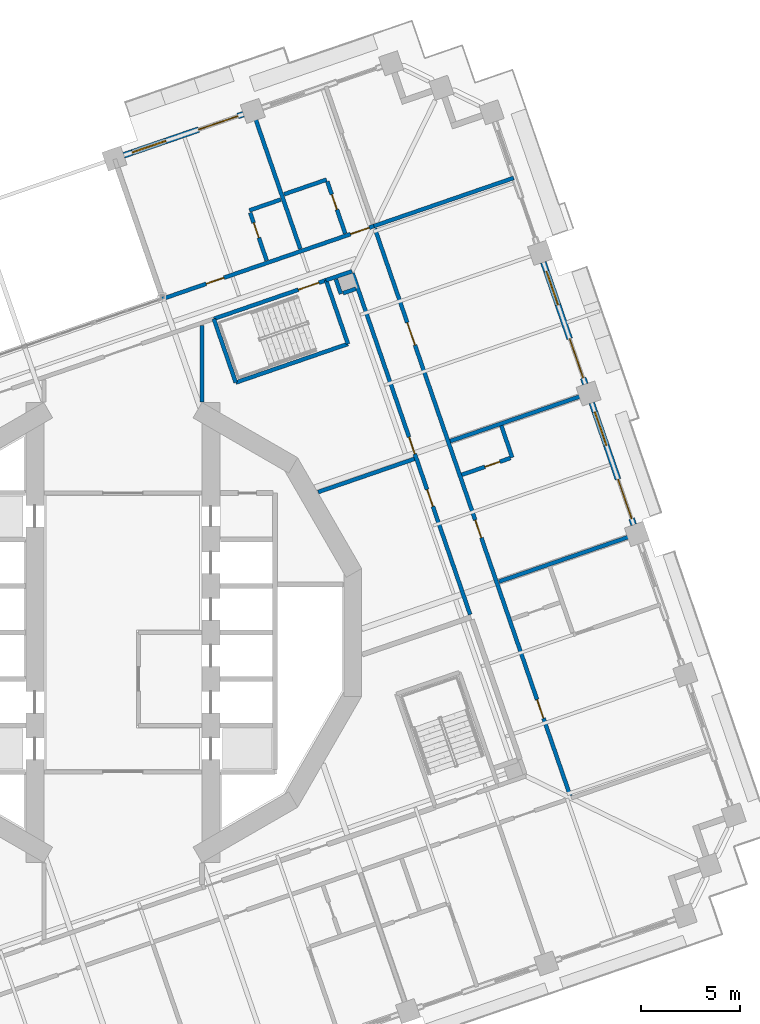
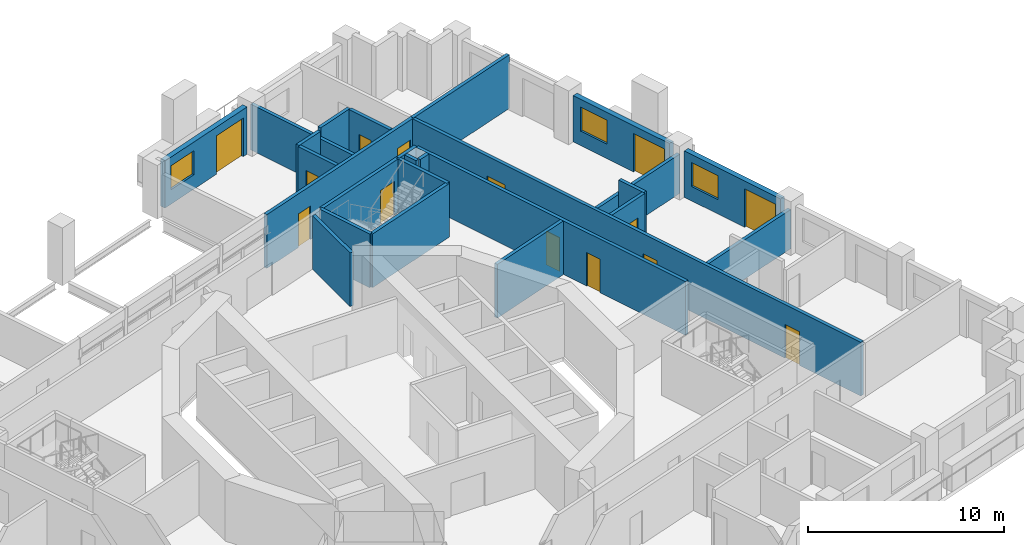
# One storey, part 12 of 22: 25 walls, 14 doors, 3 windows, 17 openings.
"""IFC4 building model written with IfcOpenShell, lengths in metres."""

from ifc_helpers import new_model, si_unit, direction, frame, frame_2d, origin, place, context, subcontext, project, spatial, rectangle, extrude, material, layer, layer_set, type_object, element, fill, save


model = new_model("IFC4")

# Units and contexts
model_context = context("Model", 3, precision=1e-05, world=origin(), true_north=direction((0.0, 1.0)))
body_context = subcontext(model_context, "Body", "Model", "MODEL_VIEW")
ifc_project = project(units=[si_unit("LENGTHUNIT", "METRE"), si_unit("AREAUNIT", "SQUARE_METRE"), si_unit("VOLUMEUNIT", "CUBIC_METRE"), si_unit("PLANEANGLEUNIT", "RADIAN"), si_unit("MASSUNIT", "GRAM", prefix="KILO")], contexts=[model_context])

# Site, building, storey
site_placement = place(None, origin())
site = spatial("IfcSite", under=ifc_project, at=site_placement, CompositionType="ELEMENT")
building_placement = place(site_placement, origin())
building = spatial("IfcBuilding", under=site, at=building_placement, Name="Cantera Rosa Tower", CompositionType="ELEMENT")
storey_placement = place(building_placement, frame((0.0, 0.0, 138.300048828125)))
storey = spatial("IfcBuildingStorey", under=building, at=storey_placement, Name="L29", CompositionType="ELEMENT", Elevation=138.300048828125)

# Walls
ifc_material_1 = material(Name="Gypsum board partition")
ifc_layer_1 = layer(ifc_material_1, 0.199951171875)
ifc_layer_set_1 = layer_set([ifc_layer_1], Name="CORRIDOR WALL 200 H3350")
wall_type_1 = type_object("IfcWallType", Name="CORRIDOR WALL 200 H3350", PredefinedType="PARTITIONING", material=ifc_layer_set_1)
wall_1_placement = place(storey_placement, frame((4.0, 11.667236328125, 0.0), z_axis=(0.0, 0.0, 1.0), x_axis=(0.0, 1.0, 0.0)))
element("IfcWall", 1, at=wall_1_placement, inside=storey, type_object=wall_type_1, Name="CORRIDOR WALL L29-060", PredefinedType="PARTITIONING", context=body_context, shape_type="SweptSolid", body=[
    extrude(rectangle(XDim=3.847900390625, YDim=0.199951171875, at=frame_2d((1.923828125, 0.0))), origin(), (0.0, 0.0, 1.0), 3.349853515625),
])
wall_2_placement = place(storey_placement, frame((11.583984375, 18.2666015625, 0.0), z_axis=(0.0, 0.0, 1.0), x_axis=(-0.945503834334, -0.325610963052, 0.0)))
element("IfcWall", 2, at=wall_2_placement, inside=storey, type_object=wall_type_1, Name="CORRIDOR WALL L29-085", PredefinedType="PARTITIONING", context=body_context, shape_type="SweptSolid", body=[
    extrude(rectangle(XDim=1.38720703125, YDim=0.199951171875, at=frame_2d((0.693603515625, 0.0))), origin(), (0.0, 0.0, 1.0), 3.349853515625),
])

# Wall, openings, doors
wall_3_placement = place(storey_placement, frame((12.699951171875, 20.5546875, 0.0), z_axis=(0.0, 0.0, 1.0), x_axis=(-0.94551504909, -0.325578396003, 0.0)))
wall_3 = element("IfcWall", 3, at=wall_3_placement, inside=storey, type_object=wall_type_1, Name="CORRIDOR WALL L29-088", PredefinedType="PARTITIONING", context=body_context, shape_type="SweptSolid", body=[
    extrude(rectangle(XDim=11.425048828125, YDim=0.199951171875, at=frame_2d((5.71240234375, 0.0))), origin(), (0.0, 0.0, 1.0), 3.349853515625),
])
opening_1_placement = place(wall_3_placement, frame((8.02490234375, 0.0, 0.0)))
opening_1 = element("IfcOpeningElement", 4, at=opening_1_placement, cuts=wall_3, Name="Opening L29-022", PredefinedType="OPENING", context=body_context, shape_type="SweptSolid", body=[
    extrude(rectangle(XDim=0.949951171875, YDim=2.10009765625, at=frame_2d((0.47509765625, 1.050048828125))), frame((0.0, 0.10986328125, 0.0), z_axis=(0.0, -1.0, 0.0), x_axis=(1.0, 0.0, 0.0)), (0.0, 0.0, 1.0), 0.219970703125),
])
opening_2_placement = place(wall_3_placement, frame((0.25, 0.0, 0.0)))
opening_2 = element("IfcOpeningElement", 5, at=opening_2_placement, cuts=wall_3, Name="Opening L29-026", PredefinedType="OPENING", context=body_context, shape_type="SweptSolid", body=[
    extrude(rectangle(XDim=1.0, YDim=2.10009765625, at=frame_2d((0.5, 1.050048828125))), frame((0.0, 0.10986328125, 0.0), z_axis=(0.0, -1.0, 0.0), x_axis=(1.0, 0.0, 0.0)), (0.0, 0.0, 1.0), 0.219970703125),
])
ifc_material_2 = material(Name="Timber door leaf", Category="wood")
door_type_1 = type_object("IfcDoorType", Name="ENTRANCE DOOR 1000x2100", OperationType="NOTDEFINED", PredefinedType="DOOR", material=ifc_material_2)
door_1_placement = place(opening_2_placement, origin())
door_1 = element("IfcDoor", 6, at=door_1_placement, inside=storey, type_object=door_type_1, Name="DOOR L29-026", OperationType="NOTDEFINED", OverallHeight=2.10009765625, OverallWidth=1.0, PredefinedType="DOOR", context=body_context, shape_type="SweptSolid", body=[
    extrude(rectangle(XDim=1.0, YDim=2.10009765625, at=frame_2d((0.5, 1.050048828125))), frame((0.0, 0.02490234375, 0.0), z_axis=(0.0, -1.0, 0.0), x_axis=(1.0, 0.0, 0.0)), (0.0, 0.0, 1.0), 0.050048828125),
])
fill(opening_2, door_1)
ifc_material_3 = material(Name="Timber door leaf", Category="wood")
door_type_2 = type_object("IfcDoorType", Name="ROOM DOOR 950x2100", OperationType="NOTDEFINED", PredefinedType="DOOR", material=ifc_material_3)
door_2_placement = place(opening_1_placement, origin())
door_2 = element("IfcDoor", 7, at=door_2_placement, inside=storey, type_object=door_type_2, Name="DOOR L29-022", OperationType="NOTDEFINED", OverallHeight=2.10009765625, OverallWidth=0.949951171875, PredefinedType="DOOR", context=body_context, shape_type="SweptSolid", body=[
    extrude(rectangle(XDim=0.949951171875, YDim=2.10009765625, at=frame_2d((0.47509765625, 1.050048828125))), frame((0.0, 0.02490234375, 0.0), z_axis=(0.0, -1.0, 0.0), x_axis=(1.0, 0.0, 0.0)), (0.0, 0.0, 1.0), 0.050048828125),
])
fill(opening_1, door_2)

wall_4_placement = place(storey_placement, frame((17.5615234375, 0.906982421875, 0.0), z_axis=(0.0, 0.0, 1.0), x_axis=(-0.325566240089, 0.945519234767, 0.0)))
wall_4 = element("IfcWall", 8, at=wall_4_placement, inside=storey, type_object=wall_type_1, Name="CORRIDOR WALL L29-104", PredefinedType="PARTITIONING", context=body_context, shape_type="SweptSolid", body=[
    extrude(rectangle(XDim=18.260009765625, YDim=0.199951171875, at=frame_2d((9.1298828125, 0.0))), origin(), (0.0, 0.0, 1.0), 3.349853515625),
])
opening_3_placement = place(wall_4_placement, frame((8.592529296875, 0.0, 0.0)))
opening_3 = element("IfcOpeningElement", 9, at=opening_3_placement, cuts=wall_4, Name="Opening L29-004", PredefinedType="OPENING", context=body_context, shape_type="SweptSolid", body=[
    extrude(rectangle(XDim=0.89990234375, YDim=2.10009765625, at=frame_2d((0.449951171875, 1.050048828125))), frame((0.0, 0.10986328125, 0.0), z_axis=(0.0, -1.0, 0.0), x_axis=(1.0, 0.0, 0.0)), (0.0, 0.0, 1.0), 0.219970703125),
])
opening_4_placement = place(wall_4_placement, frame((5.784912109375, 0.0, 0.0)))
opening_4 = element("IfcOpeningElement", 10, at=opening_4_placement, cuts=wall_4, Name="Opening L29-009", PredefinedType="OPENING", context=body_context, shape_type="SweptSolid", body=[
    extrude(rectangle(XDim=0.89990234375, YDim=2.10009765625, at=frame_2d((0.449951171875, 1.050048828125))), frame((0.0, 0.10986328125, 0.0), z_axis=(0.0, -1.0, 0.0), x_axis=(1.0, 0.0, 0.0)), (0.0, 0.0, 1.0), 0.219970703125),
])
ifc_material_4 = material(Name="Timber door leaf", Category="wood")
door_type_3 = type_object("IfcDoorType", Name="SERVICE DOOR 900x2100", OperationType="NOTDEFINED", PredefinedType="DOOR", material=ifc_material_4)
door_3_placement = place(opening_3_placement, origin())
door_3 = element("IfcDoor", 11, at=door_3_placement, inside=storey, type_object=door_type_3, Name="DOOR L29-004", OperationType="NOTDEFINED", OverallHeight=2.10009765625, OverallWidth=0.89990234375, PredefinedType="DOOR", context=body_context, shape_type="SweptSolid", body=[
    extrude(rectangle(XDim=0.89990234375, YDim=2.10009765625, at=frame_2d((0.449951171875, 1.050048828125))), frame((0.0, 0.02490234375, 0.0), z_axis=(0.0, -1.0, 0.0), x_axis=(1.0, 0.0, 0.0)), (0.0, 0.0, 1.0), 0.050048828125),
])
fill(opening_3, door_3)
door_4_placement = place(opening_4_placement, origin())
door_4 = element("IfcDoor", 12, at=door_4_placement, inside=storey, type_object=door_type_3, Name="DOOR L29-009", OperationType="NOTDEFINED", OverallHeight=2.10009765625, OverallWidth=0.89990234375, PredefinedType="DOOR", context=body_context, shape_type="SweptSolid", body=[
    extrude(rectangle(XDim=0.89990234375, YDim=2.10009765625, at=frame_2d((0.449951171875, 1.050048828125))), frame((0.0, 0.02490234375, 0.0), z_axis=(0.0, -1.0, 0.0), x_axis=(1.0, 0.0, 0.0)), (0.0, 0.0, 1.0), 0.050048828125),
])
fill(opening_4, door_4)

wall_5_placement = place(storey_placement, frame((22.623291015625, -8.264892578125, 0.0), z_axis=(0.0, 0.0, 1.0), x_axis=(-0.325567861352, 0.945518676524, 0.0)))
wall_5 = element("IfcWall", 13, at=wall_5_placement, inside=storey, type_object=wall_type_1, Name="CORRIDOR WALL L29-115", PredefinedType="PARTITIONING", context=body_context, shape_type="SweptSolid", body=[
    extrude(rectangle(XDim=30.360107421875, YDim=0.199951171875, at=frame_2d((15.18017578125, 0.0))), origin(), (0.0, 0.0, 1.0), 3.349853515625),
])
opening_5_placement = place(wall_5_placement, frame((4.14990234375, 0.0, 0.0)))
opening_5 = element("IfcOpeningElement", 14, at=opening_5_placement, cuts=wall_5, Name="Opening L29-016", PredefinedType="OPENING", context=body_context, shape_type="SweptSolid", body=[
    extrude(rectangle(XDim=1.0, YDim=2.10009765625, at=frame_2d((0.5, 1.050048828125))), frame((0.0, 0.10986328125, 0.0), z_axis=(0.0, -1.0, 0.0), x_axis=(1.0, 0.0, 0.0)), (0.0, 0.0, 1.0), 0.219970703125),
])
opening_6_placement = place(wall_5_placement, frame((24.110107421875, 0.0, 0.0)))
opening_6 = element("IfcOpeningElement", 15, at=opening_6_placement, cuts=wall_5, Name="Opening L29-019", PredefinedType="OPENING", context=body_context, shape_type="SweptSolid", body=[
    extrude(rectangle(XDim=1.199951171875, YDim=2.10009765625, at=frame_2d((0.60009765625, 1.050048828125))), frame((0.0, 0.10986328125, 0.0), z_axis=(0.0, -1.0, 0.0), x_axis=(1.0, 0.0, 0.0)), (0.0, 0.0, 1.0), 0.219970703125),
])
opening_7_placement = place(wall_5_placement, frame((13.804931640625, 0.0, 0.0)))
opening_7 = element("IfcOpeningElement", 16, at=opening_7_placement, cuts=wall_5, Name="Opening L29-020", PredefinedType="OPENING", context=body_context, shape_type="SweptSolid", body=[
    extrude(rectangle(XDim=0.949951171875, YDim=2.10009765625, at=frame_2d((0.47509765625, 1.050048828125))), frame((0.0, 0.10986328125, 0.0), z_axis=(0.0, -1.0, 0.0), x_axis=(1.0, 0.0, 0.0)), (0.0, 0.0, 1.0), 0.219970703125),
])
door_5_placement = place(opening_5_placement, origin())
door_5 = element("IfcDoor", 17, at=door_5_placement, inside=storey, type_object=door_type_1, Name="DOOR L29-016", OperationType="NOTDEFINED", OverallHeight=2.10009765625, OverallWidth=1.0, PredefinedType="DOOR", context=body_context, shape_type="SweptSolid", body=[
    extrude(rectangle(XDim=1.0, YDim=2.10009765625, at=frame_2d((0.5, 1.050048828125))), frame((0.0, 0.02490234375, 0.0), z_axis=(0.0, -1.0, 0.0), x_axis=(1.0, 0.0, 0.0)), (0.0, 0.0, 1.0), 0.050048828125),
])
fill(opening_5, door_5)
ifc_material_5 = material(Name="Timber door leaf", Category="wood")
door_type_4 = type_object("IfcDoorType", Name="ROOM DOOR 1200x2100", OperationType="NOTDEFINED", PredefinedType="DOOR", material=ifc_material_5)
door_6_placement = place(opening_6_placement, origin())
door_6 = element("IfcDoor", 18, at=door_6_placement, inside=storey, type_object=door_type_4, Name="DOOR L29-019", OperationType="NOTDEFINED", OverallHeight=2.10009765625, OverallWidth=1.199951171875, PredefinedType="DOOR", context=body_context, shape_type="SweptSolid", body=[
    extrude(rectangle(XDim=1.199951171875, YDim=2.10009765625, at=frame_2d((0.60009765625, 1.050048828125))), frame((0.0, 0.02490234375, 0.0), z_axis=(0.0, -1.0, 0.0), x_axis=(1.0, 0.0, 0.0)), (0.0, 0.0, 1.0), 0.050048828125),
])
fill(opening_6, door_6)
door_7_placement = place(opening_7_placement, origin())
door_7 = element("IfcDoor", 19, at=door_7_placement, inside=storey, type_object=door_type_2, Name="DOOR L29-020", OperationType="NOTDEFINED", OverallHeight=2.10009765625, OverallWidth=0.949951171875, PredefinedType="DOOR", context=body_context, shape_type="SweptSolid", body=[
    extrude(rectangle(XDim=0.949951171875, YDim=2.10009765625, at=frame_2d((0.47509765625, 1.050048828125))), frame((0.0, 0.02490234375, 0.0), z_axis=(0.0, -1.0, 0.0), x_axis=(1.0, 0.0, 0.0)), (0.0, 0.0, 1.0), 0.050048828125),
])
fill(opening_7, door_7)

# Wall, openings, window, door
ifc_material_6 = material(Name="Hollow clay masonry with cantera stone cladding", Category="masonry")
ifc_layer_2 = layer(ifc_material_6, 0.300048828125)
ifc_layer_set_2 = layer_set([ifc_layer_2], Name="EW-LOGGIA 300 H2890")
wall_type_2 = type_object("IfcWallType", Name="EW-LOGGIA 300 H2890", PredefinedType="SOLIDWALL", material=ifc_layer_set_2)
wall_6_placement = place(storey_placement, frame((25.833984375, 5.447509765625, 0.0), z_axis=(0.0, 0.0, 1.0), x_axis=(-0.325580990241, 0.945514155787, 0.0)))
wall_6 = element("IfcWall", 20, at=wall_6_placement, inside=storey, type_object=wall_type_2, Name="EN-L29-W03", PredefinedType="SOLIDWALL", context=body_context, shape_type="SweptSolid", body=[
    extrude(rectangle(XDim=6.52001953125, YDim=0.300048828125, at=frame_2d((3.260009765625, 0.0))), origin(), (0.0, 0.0, 1.0), 2.889892578125),
])
opening_8_placement = place(wall_6_placement, frame((0.330078125, 0.0, 0.0)))
opening_8 = element("IfcOpeningElement", 21, at=opening_8_placement, cuts=wall_6, Name="Opening L29-TD05", PredefinedType="OPENING", context=body_context, shape_type="SweptSolid", body=[
    extrude(rectangle(XDim=2.10009765625, YDim=2.39990234375, at=frame_2d((1.050048828125, 1.199951171875))), frame((0.0, 0.159912109375, 0.0), z_axis=(0.0, -1.0, 0.0), x_axis=(1.0, 0.0, 0.0)), (0.0, 0.0, 1.0), 0.320068359375),
])
opening_9_placement = place(wall_6_placement, frame((4.239990234375, 0.0, 0.89990234375)))
opening_9 = element("IfcOpeningElement", 22, at=opening_9_placement, cuts=wall_6, Name="Opening L29-W06", PredefinedType="OPENING", context=body_context, shape_type="SweptSolid", body=[
    extrude(rectangle(XDim=1.800048828125, YDim=1.5, at=frame_2d((0.89990234375, 0.75))), frame((0.0, 0.159912109375, 0.0), z_axis=(0.0, -1.0, 0.0), x_axis=(1.0, 0.0, 0.0)), (0.0, 0.0, 1.0), 0.320068359375),
])
ifc_material_7 = material(Name="Aluminium frame with clear glass", Category="aluminium")
window_type = type_object("IfcWindowType", Name="Hotel room window 1800x1500", PartitioningType="DOUBLE_PANEL_VERTICAL", PredefinedType="WINDOW", material=ifc_material_7)
window_1_placement = place(opening_9_placement, origin())
window_1 = element("IfcWindow", 23, at=window_1_placement, inside=storey, type_object=window_type, Name="WINDOW L29-W06", OverallHeight=1.5, OverallWidth=1.800048828125, PartitioningType="SINGLE_PANEL", PredefinedType="WINDOW", context=body_context, shape_type="SweptSolid", body=[
    extrude(rectangle(XDim=1.800048828125, YDim=1.5, at=frame_2d((0.89990234375, 0.75))), frame((0.0, 0.030029296875, 0.0), z_axis=(0.0, -1.0, 0.0), x_axis=(1.0, 0.0, 0.0)), (0.0, 0.0, 1.0), 0.06005859375),
])
fill(opening_9, window_1)
ifc_material_8 = material(Name="Aluminium frame with clear glass", Category="aluminium")
door_type_5 = type_object("IfcDoorType", Name="TD-H 2100x2400", OperationType="NOTDEFINED", PredefinedType="DOOR", material=ifc_material_8)
door_8_placement = place(opening_8_placement, origin())
door_8 = element("IfcDoor", 24, at=door_8_placement, inside=storey, type_object=door_type_5, Name="LOGGIA DOOR L29-TD05", OperationType="SLIDING_TO_LEFT", OverallHeight=2.39990234375, OverallWidth=2.10009765625, PredefinedType="DOOR", context=body_context, shape_type="SweptSolid", body=[
    extrude(rectangle(XDim=2.10009765625, YDim=2.39990234375, at=frame_2d((1.050048828125, 1.199951171875))), frame((0.0, 0.02490234375, 0.0), z_axis=(0.0, -1.0, 0.0), x_axis=(1.0, 0.0, 0.0)), (0.0, 0.0, 1.0), 0.050048828125),
])
fill(opening_8, door_8)

wall_7_placement = place(storey_placement, frame((23.3857421875, 12.557861328125, 0.0), z_axis=(0.0, 0.0, 1.0), x_axis=(-0.325580990241, 0.945514155787, 0.0)))
wall_7 = element("IfcWall", 25, at=wall_7_placement, inside=storey, type_object=wall_type_2, Name="EN-L29-W04", PredefinedType="SOLIDWALL", context=body_context, shape_type="SweptSolid", body=[
    extrude(rectangle(XDim=6.52001953125, YDim=0.300048828125, at=frame_2d((3.260009765625, 0.0))), origin(), (0.0, 0.0, 1.0), 2.889892578125),
])
opening_10_placement = place(wall_7_placement, frame((0.330078125, 0.0, 0.0)))
opening_10 = element("IfcOpeningElement", 26, at=opening_10_placement, cuts=wall_7, Name="Opening L29-TD07", PredefinedType="OPENING", context=body_context, shape_type="SweptSolid", body=[
    extrude(rectangle(XDim=2.10009765625, YDim=2.39990234375, at=frame_2d((1.050048828125, 1.199951171875))), frame((0.0, 0.159912109375, 0.0), z_axis=(0.0, -1.0, 0.0), x_axis=(1.0, 0.0, 0.0)), (0.0, 0.0, 1.0), 0.320068359375),
])
opening_11_placement = place(wall_7_placement, frame((4.239990234375, 0.0, 0.89990234375)))
opening_11 = element("IfcOpeningElement", 27, at=opening_11_placement, cuts=wall_7, Name="Opening L29-W08", PredefinedType="OPENING", context=body_context, shape_type="SweptSolid", body=[
    extrude(rectangle(XDim=1.800048828125, YDim=1.5, at=frame_2d((0.89990234375, 0.75))), frame((0.0, 0.159912109375, 0.0), z_axis=(0.0, -1.0, 0.0), x_axis=(1.0, 0.0, 0.0)), (0.0, 0.0, 1.0), 0.320068359375),
])
window_2_placement = place(opening_11_placement, origin())
window_2 = element("IfcWindow", 28, at=window_2_placement, inside=storey, type_object=window_type, Name="WINDOW L29-W08", OverallHeight=1.5, OverallWidth=1.800048828125, PartitioningType="SINGLE_PANEL", PredefinedType="WINDOW", context=body_context, shape_type="SweptSolid", body=[
    extrude(rectangle(XDim=1.800048828125, YDim=1.5, at=frame_2d((0.89990234375, 0.75))), frame((0.0, 0.030029296875, 0.0), z_axis=(0.0, -1.0, 0.0), x_axis=(1.0, 0.0, 0.0)), (0.0, 0.0, 1.0), 0.06005859375),
])
fill(opening_11, window_2)
door_9_placement = place(opening_10_placement, origin())
door_9 = element("IfcDoor", 29, at=door_9_placement, inside=storey, type_object=door_type_5, Name="LOGGIA DOOR L29-TD07", OperationType="SLIDING_TO_LEFT", OverallHeight=2.39990234375, OverallWidth=2.10009765625, PredefinedType="DOOR", context=body_context, shape_type="SweptSolid", body=[
    extrude(rectangle(XDim=2.10009765625, YDim=2.39990234375, at=frame_2d((1.050048828125, 1.199951171875))), frame((0.0, 0.02490234375, 0.0), z_axis=(0.0, -1.0, 0.0), x_axis=(1.0, 0.0, 0.0)), (0.0, 0.0, 1.0), 0.050048828125),
])
fill(opening_10, door_9)

ifc_material_9 = material(Name="Hollow clay masonry with cantera stone cladding", Category="masonry")
ifc_layer_3 = layer(ifc_material_9, 0.300048828125)
ifc_layer_set_3 = layer_set([ifc_layer_3], Name="EW-LOGGIA 300 H2940")
wall_type_3 = type_object("IfcWallType", Name="EW-LOGGIA 300 H2940", PredefinedType="SOLIDWALL", material=ifc_layer_set_3)
wall_8_placement = place(storey_placement, frame((6.097900390625, 26.21337890625, 0.0), z_axis=(0.0, 0.0, 1.0), x_axis=(-0.945524496524, -0.325550958337, 0.0)))
wall_8 = element("IfcWall", 30, at=wall_8_placement, inside=storey, type_object=wall_type_3, Name="EN-L29-W09", PredefinedType="SOLIDWALL", context=body_context, shape_type="SweptSolid", body=[
    extrude(rectangle(XDim=6.39990234375, YDim=0.300048828125, at=frame_2d((3.199951171875, 0.0))), origin(), (0.0, 0.0, 1.0), 2.93994140625),
])
opening_12_placement = place(wall_8_placement, frame((0.300048828125, 0.0, 0.0)))
opening_12 = element("IfcOpeningElement", 31, at=opening_12_placement, cuts=wall_8, Name="Opening L29-TD13", PredefinedType="OPENING", context=body_context, shape_type="SweptSolid", body=[
    extrude(rectangle(XDim=2.10009765625, YDim=2.39990234375, at=frame_2d((1.050048828125, 1.199951171875))), frame((0.0, 0.159912109375, 0.0), z_axis=(0.0, -1.0, 0.0), x_axis=(1.0, 0.0, 0.0)), (0.0, 0.0, 1.0), 0.320068359375),
])
opening_13_placement = place(wall_8_placement, frame((4.14990234375, 0.0, 0.89990234375)))
opening_13 = element("IfcOpeningElement", 32, at=opening_13_placement, cuts=wall_8, Name="Opening L29-W14", PredefinedType="OPENING", context=body_context, shape_type="SweptSolid", body=[
    extrude(rectangle(XDim=1.800048828125, YDim=1.5, at=frame_2d((0.89990234375, 0.75))), frame((0.0, 0.159912109375, 0.0), z_axis=(0.0, -1.0, 0.0), x_axis=(1.0, 0.0, 0.0)), (0.0, 0.0, 1.0), 0.320068359375),
])
window_3_placement = place(opening_13_placement, origin())
window_3 = element("IfcWindow", 33, at=window_3_placement, inside=storey, type_object=window_type, Name="WINDOW L29-W14", OverallHeight=1.5, OverallWidth=1.800048828125, PartitioningType="SINGLE_PANEL", PredefinedType="WINDOW", context=body_context, shape_type="SweptSolid", body=[
    extrude(rectangle(XDim=1.800048828125, YDim=1.5, at=frame_2d((0.89990234375, 0.75))), frame((0.0, 0.030029296875, 0.0), z_axis=(0.0, -1.0, 0.0), x_axis=(1.0, 0.0, 0.0)), (0.0, 0.0, 1.0), 0.06005859375),
])
fill(opening_13, window_3)
door_10_placement = place(opening_12_placement, origin())
door_10 = element("IfcDoor", 34, at=door_10_placement, inside=storey, type_object=door_type_5, Name="LOGGIA DOOR L29-TD13", OperationType="SLIDING_TO_LEFT", OverallHeight=2.39990234375, OverallWidth=2.10009765625, PredefinedType="DOOR", context=body_context, shape_type="SweptSolid", body=[
    extrude(rectangle(XDim=2.10009765625, YDim=2.39990234375, at=frame_2d((1.050048828125, 1.199951171875))), frame((0.0, 0.02490234375, 0.0), z_axis=(0.0, -1.0, 0.0), x_axis=(1.0, 0.0, 0.0)), (0.0, 0.0, 1.0), 0.050048828125),
])
fill(opening_12, door_10)

# Wall
ifc_material_10 = material(Name="Gypsum board partition")
ifc_layer_4 = layer(ifc_material_10, 0.199951171875)
ifc_layer_set_4 = layer_set([ifc_layer_4], Name="PARTITION 200 H3350")
wall_type_4 = type_object("IfcWallType", Name="PARTITION 200 H3350", PredefinedType="PARTITIONING", material=ifc_layer_set_4)
wall_9_placement = place(storey_placement, frame((6.39892578125, 21.34619140625, 0.0), z_axis=(0.0, 0.0, 1.0), x_axis=(0.945482578037, 0.3256726802, 0.0)))
element("IfcWall", 35, at=wall_9_placement, inside=storey, type_object=wall_type_4, Name="PARTITION L29-068", PredefinedType="PARTITIONING", context=body_context, shape_type="SweptSolid", body=[
    extrude(rectangle(XDim=1.679931640625, YDim=0.199951171875, at=frame_2d((0.83984375, 0.0))), origin(), (0.0, 0.0, 1.0), 3.349853515625),
])

# Wall, opening, door
wall_10_placement = place(storey_placement, frame((7.271484375, 18.812255859375, 0.0), z_axis=(0.0, 0.0, 1.0), x_axis=(-0.325567448058, 0.945518818832, 0.0)))
wall_10 = element("IfcWall", 36, at=wall_10_placement, inside=storey, type_object=wall_type_4, Name="PARTITION L29-070", PredefinedType="PARTITIONING", context=body_context, shape_type="SweptSolid", body=[
    extrude(rectangle(XDim=2.56005859375, YDim=0.199951171875, at=frame_2d((1.280029296875, 0.0))), origin(), (0.0, 0.0, 1.0), 3.349853515625),
])
opening_14_placement = place(wall_10_placement, frame((1.216064453125, 0.0, 0.0)))
opening_14 = element("IfcOpeningElement", 37, at=opening_14_placement, cuts=wall_10, Name="Opening L29-023", PredefinedType="OPENING", context=body_context, shape_type="SweptSolid", body=[
    extrude(rectangle(XDim=0.800048828125, YDim=2.10009765625, at=frame_2d((0.39990234375, 1.050048828125))), frame((0.0, 0.10986328125, 0.0), z_axis=(0.0, -1.0, 0.0), x_axis=(1.0, 0.0, 0.0)), (0.0, 0.0, 1.0), 0.219970703125),
])
ifc_material_11 = material(Name="Timber door leaf", Category="wood")
door_type_6 = type_object("IfcDoorType", Name="BATHROOM DOOR 800x2100", OperationType="NOTDEFINED", PredefinedType="DOOR", material=ifc_material_11)
door_11_placement = place(opening_14_placement, origin())
door_11 = element("IfcDoor", 38, at=door_11_placement, inside=storey, type_object=door_type_6, Name="DOOR L29-023", OperationType="NOTDEFINED", OverallHeight=2.10009765625, OverallWidth=0.800048828125, PredefinedType="DOOR", context=body_context, shape_type="SweptSolid", body=[
    extrude(rectangle(XDim=0.800048828125, YDim=2.10009765625, at=frame_2d((0.39990234375, 1.050048828125))), frame((0.0, 0.02490234375, 0.0), z_axis=(0.0, -1.0, 0.0), x_axis=(1.0, 0.0, 0.0)), (0.0, 0.0, 1.0), 0.050048828125),
])
fill(opening_14, door_11)

# Wall
wall_11_placement = place(storey_placement, frame((8.149169921875, 22.160400390625, 0.0), z_axis=(0.0, 0.0, 1.0), x_axis=(0.945499219527, 0.325624363146, 0.0)))
element("IfcWall", 39, at=wall_11_placement, inside=storey, type_object=wall_type_4, Name="PARTITION L29-077", PredefinedType="PARTITIONING", context=body_context, shape_type="SweptSolid", body=[
    extrude(rectangle(XDim=2.280029296875, YDim=0.199951171875, at=frame_2d((1.14013671875, 0.0))), origin(), (0.0, 0.0, 1.0), 3.349853515625),
])

# Wall, opening, door
wall_12_placement = place(storey_placement, frame((10.337646484375, 22.80810546875, 0.0), z_axis=(0.0, 0.0, 1.0), x_axis=(0.325565713823, -0.945519415974, 0.0)))
wall_12 = element("IfcWall", 40, at=wall_12_placement, inside=storey, type_object=wall_type_4, Name="PARTITION L29-079", PredefinedType="PARTITIONING", context=body_context, shape_type="SweptSolid", body=[
    extrude(rectangle(XDim=2.77978515625, YDim=0.199951171875, at=frame_2d((1.389892578125, 0.0))), origin(), (0.0, 0.0, 1.0), 3.349853515625),
])
opening_15_placement = place(wall_12_placement, frame((0.699951171875, 0.0, 0.0)))
opening_15 = element("IfcOpeningElement", 41, at=opening_15_placement, cuts=wall_12, Name="Opening L29-027", PredefinedType="OPENING", context=body_context, shape_type="SweptSolid", body=[
    extrude(rectangle(XDim=0.800048828125, YDim=2.10009765625, at=frame_2d((0.39990234375, 1.050048828125))), frame((0.0, 0.10986328125, 0.0), z_axis=(0.0, -1.0, 0.0), x_axis=(1.0, 0.0, 0.0)), (0.0, 0.0, 1.0), 0.219970703125),
])
door_12_placement = place(opening_15_placement, origin())
door_12 = element("IfcDoor", 42, at=door_12_placement, inside=storey, type_object=door_type_6, Name="DOOR L29-027", OperationType="NOTDEFINED", OverallHeight=2.10009765625, OverallWidth=0.800048828125, PredefinedType="DOOR", context=body_context, shape_type="SweptSolid", body=[
    extrude(rectangle(XDim=0.800048828125, YDim=2.10009765625, at=frame_2d((0.39990234375, 1.050048828125))), frame((0.0, 0.02490234375, 0.0), z_axis=(0.0, -1.0, 0.0), x_axis=(1.0, 0.0, 0.0)), (0.0, 0.0, 1.0), 0.050048828125),
])
fill(opening_15, door_12)

# Walls
wall_13_placement = place(storey_placement, frame((10.772216796875, 17.860107421875, 0.0), z_axis=(0.0, 0.0, 1.0), x_axis=(0.325508352099, -0.945539165087, 0.0)))
element("IfcWall", 43, at=wall_13_placement, inside=storey, type_object=wall_type_4, Name="PARTITION L29-080", PredefinedType="PARTITIONING", context=body_context, shape_type="SweptSolid", body=[
    extrude(rectangle(XDim=0.780029296875, YDim=0.199951171875, at=frame_2d((0.39013671875, 0.0))), origin(), (0.0, 0.0, 1.0), 3.349853515625),
])
wall_14_placement = place(storey_placement, frame((11.1396484375, 17.16162109375, 0.0), z_axis=(0.0, 0.0, 1.0), x_axis=(0.945514037629, 0.325581333382, 0.0)))
element("IfcWall", 44, at=wall_14_placement, inside=storey, type_object=wall_type_4, Name="PARTITION L29-083", PredefinedType="PARTITIONING", context=body_context, shape_type="SweptSolid", body=[
    extrude(rectangle(XDim=0.68017578125, YDim=0.199951171875, at=frame_2d((0.340087890625, 0.0))), origin(), (0.0, 0.0, 1.0), 3.349853515625),
])
wall_15_placement = place(storey_placement, frame((14.7451171875, 8.77880859375, 0.0), z_axis=(0.0, 0.0, 1.0), x_axis=(-0.94551748964, -0.325571308296, 0.0)))
element("IfcWall", 45, at=wall_15_placement, inside=storey, type_object=wall_type_4, Name="PARTITION L29-098", PredefinedType="PARTITIONING", context=body_context, shape_type="SweptSolid", body=[
    extrude(rectangle(XDim=5.1494140625, YDim=0.199951171875, at=frame_2d((2.57470703125, 0.0))), origin(), (0.0, 0.0, 1.0), 3.349853515625),
])
wall_16_placement = place(storey_placement, frame((19.13720703125, 10.460205078125, 0.0), z_axis=(0.0, 0.0, 1.0), x_axis=(0.325432952416, -0.945565118583, 0.0)))
element("IfcWall", 46, at=wall_16_placement, inside=storey, type_object=wall_type_4, Name="PARTITION L29-108", PredefinedType="PARTITIONING", context=body_context, shape_type="SweptSolid", body=[
    extrude(rectangle(XDim=1.699951171875, YDim=0.199951171875, at=frame_2d((0.85009765625, 0.0))), origin(), (0.0, 0.0, 1.0), 3.349853515625),
])

# Wall, opening, door
wall_17_placement = place(storey_placement, frame((19.595947265625, 8.8203125, 0.0), z_axis=(0.0, 0.0, 1.0), x_axis=(-0.945519579757, -0.325565238158, 0.0)))
wall_17 = element("IfcWall", 47, at=wall_17_placement, inside=storey, type_object=wall_type_4, Name="PARTITION L29-109", PredefinedType="PARTITIONING", context=body_context, shape_type="SweptSolid", body=[
    extrude(rectangle(XDim=2.599853515625, YDim=0.199951171875, at=frame_2d((1.2998046875, 0.0))), origin(), (0.0, 0.0, 1.0), 3.349853515625),
])
opening_16_placement = place(wall_17_placement, frame((0.56396484375, 0.0, 0.0)))
opening_16 = element("IfcOpeningElement", 48, at=opening_16_placement, cuts=wall_17, Name="Opening L29-021", PredefinedType="OPENING", context=body_context, shape_type="SweptSolid", body=[
    extrude(rectangle(XDim=0.800048828125, YDim=2.10009765625, at=frame_2d((0.39990234375, 1.050048828125))), frame((0.0, 0.10986328125, 0.0), z_axis=(0.0, -1.0, 0.0), x_axis=(1.0, 0.0, 0.0)), (0.0, 0.0, 1.0), 0.219970703125),
])
door_13_placement = place(opening_16_placement, origin())
door_13 = element("IfcDoor", 49, at=door_13_placement, inside=storey, type_object=door_type_6, Name="DOOR L29-021", OperationType="NOTDEFINED", OverallHeight=2.10009765625, OverallWidth=0.800048828125, PredefinedType="DOOR", context=body_context, shape_type="SweptSolid", body=[
    extrude(rectangle(XDim=0.800048828125, YDim=2.10009765625, at=frame_2d((0.39990234375, 1.050048828125))), frame((0.0, 0.02490234375, 0.0), z_axis=(0.0, -1.0, 0.0), x_axis=(1.0, 0.0, 0.0)), (0.0, 0.0, 1.0), 0.050048828125),
])
fill(opening_16, door_13)

# Walls
ifc_material_12 = material(Name="Gypsum board partition")
ifc_layer_5 = layer(ifc_material_12, 0.199951171875)
ifc_layer_set_5 = layer_set([ifc_layer_5], Name="PARTY WALL 200 H2450")
wall_type_5 = type_object("IfcWallType", Name="PARTY WALL 200 H2450", PredefinedType="PARTITIONING", material=ifc_layer_set_5)
wall_18_placement = place(storey_placement, frame((16.551513671875, 9.67578125, 0.0), z_axis=(0.0, 0.0, 1.0), x_axis=(0.945520034471, 0.325563917555, 0.0)))
element("IfcWall", 50, at=wall_18_placement, inside=storey, type_object=wall_type_5, Name="PARTY WALL L29-101", PredefinedType="PARTITIONING", context=body_context, shape_type="SweptSolid", body=[
    extrude(rectangle(XDim=7.3701171875, YDim=0.199951171875, at=frame_2d((3.68505859375, 0.0))), origin(), (0.0, 0.0, 1.0), 2.449951171875),
])
wall_19_placement = place(storey_placement, frame((19.018798828125, 2.572021484375, 0.0), z_axis=(0.0, 0.0, 1.0), x_axis=(0.945514790731, 0.325579146306, 0.0)))
element("IfcWall", 51, at=wall_19_placement, inside=storey, type_object=wall_type_5, Name="PARTY WALL L29-105", PredefinedType="PARTITIONING", context=body_context, shape_type="SweptSolid", body=[
    extrude(rectangle(XDim=7.35009765625, YDim=0.199951171875, at=frame_2d((3.675048828125, 0.0))), origin(), (0.0, 0.0, 1.0), 2.449951171875),
])
ifc_material_13 = material(Name="Gypsum board partition")
ifc_layer_6 = layer(ifc_material_13, 0.199951171875)
ifc_layer_set_6 = layer_set([ifc_layer_6], Name="PARTY WALL 200 H2850")
wall_type_6 = type_object("IfcWallType", Name="PARTY WALL 200 H2850", PredefinedType="PARTITIONING", material=ifc_layer_set_6)
wall_20_placement = place(storey_placement, frame((6.58056640625, 26.347900390625, 0.0), z_axis=(0.0, 0.0, 1.0), x_axis=(0.325549451152, -0.945525015457, 0.0)))
element("IfcWall", 52, at=wall_20_placement, inside=storey, type_object=wall_type_6, Name="PARTY WALL L29-069", PredefinedType="PARTITIONING", context=body_context, shape_type="SweptSolid", body=[
    extrude(rectangle(XDim=7.35009765625, YDim=0.199951171875, at=frame_2d((3.675048828125, 0.0))), origin(), (0.0, 0.0, 1.0), 2.849853515625),
])
ifc_material_14 = material(Name="Gypsum board partition")
ifc_layer_7 = layer(ifc_material_14, 0.199951171875)
ifc_layer_set_7 = layer_set([ifc_layer_7], Name="PARTY WALL 200 H3350")
wall_type_7 = type_object("IfcWallType", Name="PARTY WALL 200 H3350", PredefinedType="PARTITIONING", material=ifc_layer_set_7)
wall_21_placement = place(storey_placement, frame((12.699951171875, 20.5546875, 0.0), z_axis=(0.0, 0.0, 1.0), x_axis=(0.945522578269, 0.325556529628, 0.0)))
element("IfcWall", 53, at=wall_21_placement, inside=storey, type_object=wall_type_7, Name="PARTY WALL L29-094", PredefinedType="PARTITIONING", context=body_context, shape_type="SweptSolid", body=[
    extrude(rectangle(XDim=7.469970703125, YDim=0.199951171875, at=frame_2d((3.73486328125, 0.0))), origin(), (0.0, 0.0, 1.0), 3.349853515625),
])
ifc_material_15 = material(Name="Concrete C50/60", Category="concrete")
ifc_layer_8 = layer(ifc_material_15, 0.199951171875)
ifc_layer_set_8 = layer_set([ifc_layer_8], Name="STAIR WALL 200 H3350")
wall_type_8 = type_object("IfcWallType", Name="STAIR WALL 200 H3350", PredefinedType="SOLIDWALL", material=ifc_layer_set_8)
wall_22_placement = place(storey_placement, frame((4.599365234375, 15.861572265625, 0.0), z_axis=(0.0, 0.0, 1.0), x_axis=(0.325562292844, -0.945520593894, 0.0)))
element("IfcWall", 54, at=wall_22_placement, inside=storey, type_object=wall_type_8, Name="STAIR WALL L29-062", PredefinedType="SOLIDWALL", context=body_context, shape_type="SweptSolid", body=[
    extrude(rectangle(XDim=3.407470703125, YDim=0.199951171875, at=frame_2d((1.70361328125, 0.0))), origin(), (0.0, 0.0, 1.0), 3.349853515625),
])

# Wall, opening, door
wall_23_placement = place(storey_placement, frame((4.599365234375, 15.861572265625, 0.0), z_axis=(0.0, 0.0, 1.0), x_axis=(0.945520338581, 0.325563034341, 0.0)))
wall_23 = element("IfcWall", 55, at=wall_23_placement, inside=storey, type_object=wall_type_8, Name="STAIR WALL L29-063", PredefinedType="SOLIDWALL", context=body_context, shape_type="SweptSolid", body=[
    extrude(rectangle(XDim=6.0, YDim=0.199951171875, at=frame_2d((3.0, 0.0))), origin(), (0.0, 0.0, 1.0), 3.349853515625),
])
opening_17_placement = place(wall_23_placement, frame((4.52490234375, 0.0, 0.0)))
opening_17 = element("IfcOpeningElement", 56, at=opening_17_placement, cuts=wall_23, Name="Opening L29-001", PredefinedType="OPENING", context=body_context, shape_type="SweptSolid", body=[
    extrude(rectangle(XDim=1.10009765625, YDim=2.10009765625, at=frame_2d((0.550048828125, 1.050048828125))), frame((0.0, 0.10986328125, 0.0), z_axis=(0.0, -1.0, 0.0), x_axis=(1.0, 0.0, 0.0)), (0.0, 0.0, 1.0), 0.219970703125),
])
ifc_material_16 = material(Name="Steel S355J2 (EN 10025-2)", Category="steel")
door_type_7 = type_object("IfcDoorType", Name="STAIR DOOR 1100x2100", OperationType="NOTDEFINED", PredefinedType="DOOR", material=ifc_material_16)
door_14_placement = place(opening_17_placement, origin())
door_14 = element("IfcDoor", 57, at=door_14_placement, inside=storey, type_object=door_type_7, Name="DOOR L29-001", OperationType="NOTDEFINED", OverallHeight=2.10009765625, OverallWidth=1.10009765625, PredefinedType="DOOR", context=body_context, shape_type="SweptSolid", body=[
    extrude(rectangle(XDim=1.10009765625, YDim=2.10009765625, at=frame_2d((0.550048828125, 1.050048828125))), frame((0.0, 0.02490234375, 0.0), z_axis=(0.0, -1.0, 0.0), x_axis=(1.0, 0.0, 0.0)), (0.0, 0.0, 1.0), 0.050048828125),
])
fill(opening_17, door_14)

# Walls
wall_24_placement = place(storey_placement, frame((5.708740234375, 12.6396484375, 0.0), z_axis=(0.0, 0.0, 1.0), x_axis=(0.945520338581, 0.325563034341, 0.0)))
element("IfcWall", 58, at=wall_24_placement, inside=storey, type_object=wall_type_8, Name="STAIR WALL L29-067", PredefinedType="SOLIDWALL", context=body_context, shape_type="SweptSolid", body=[
    extrude(rectangle(XDim=6.0, YDim=0.199951171875, at=frame_2d((3.0, 0.0))), origin(), (0.0, 0.0, 1.0), 3.349853515625),
])
wall_25_placement = place(storey_placement, frame((11.3818359375, 14.593017578125, 0.0), z_axis=(0.0, 0.0, 1.0), x_axis=(-0.325562292844, 0.945520593894, 0.0)))
element("IfcWall", 59, at=wall_25_placement, inside=storey, type_object=wall_type_8, Name="STAIR WALL L29-084", PredefinedType="SOLIDWALL", context=body_context, shape_type="SweptSolid", body=[
    extrude(rectangle(XDim=3.407470703125, YDim=0.199951171875, at=frame_2d((1.70361328125, 0.0))), origin(), (0.0, 0.0, 1.0), 3.349853515625),
])

save(model, "model.ifc")
